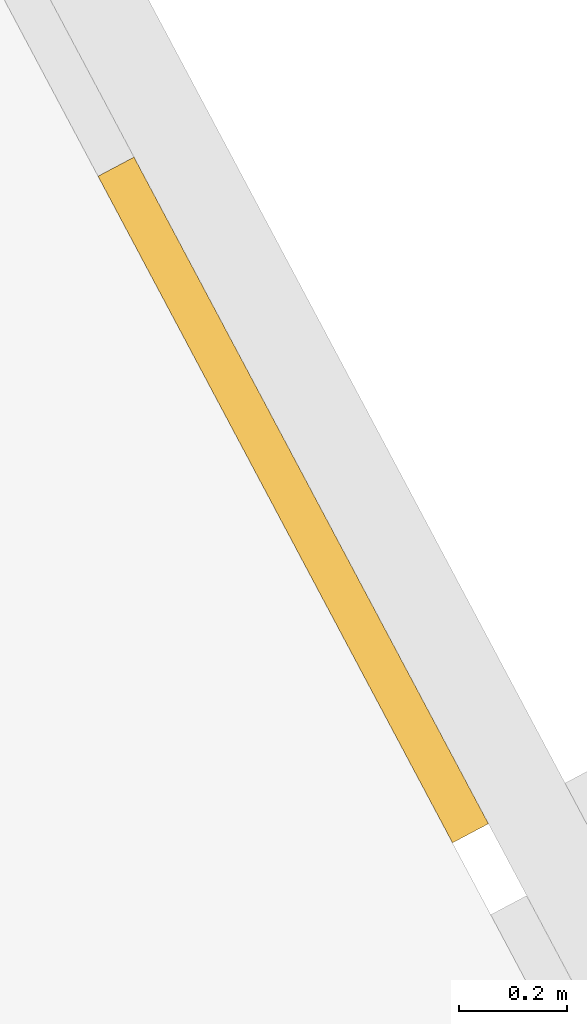
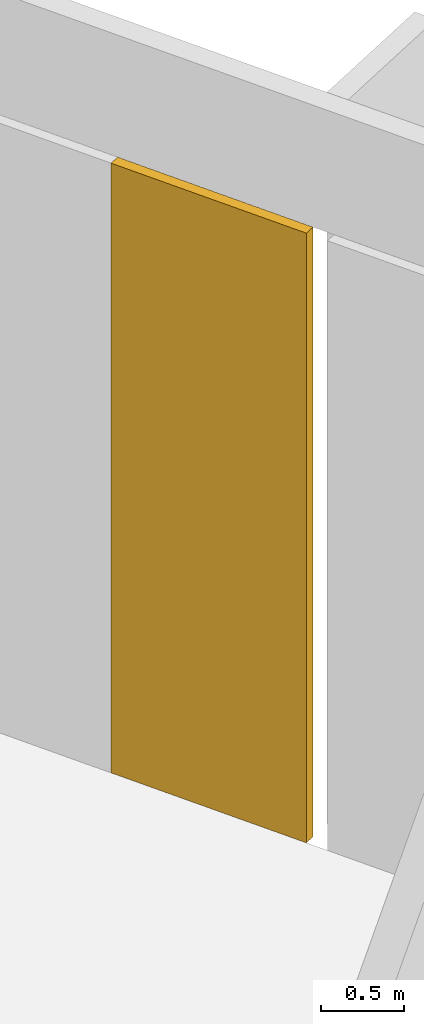
# One storey, part 32 of 32: 1 covering, 1 element without a shape of its own.
"""IFC4 building model written with IfcOpenShell, lengths in metres."""

from ifc_helpers import new_model, si_unit, direction, frame, origin, origin_2d, place, context, subcontext, project, spatial, rectangle, extrude, material, layer, layer_set, type_object, element, aggregate, save


model = new_model("IFC4")

# Units and contexts
model_context = context("Model", 3, precision=1e-05, world=origin(), true_north=direction((0.0, 1.0)))
body_context = subcontext(model_context, "Body", "Model", "MODEL_VIEW")
ifc_project = project(units=[si_unit("LENGTHUNIT", "METRE"), si_unit("AREAUNIT", "SQUARE_METRE"), si_unit("VOLUMEUNIT", "CUBIC_METRE"), si_unit("PLANEANGLEUNIT", "RADIAN"), si_unit("MASSUNIT", "GRAM", prefix="KILO")], contexts=[model_context])

# Site, building, storey
site_placement = place(None, origin())
site = spatial("IfcSite", under=ifc_project, at=site_placement, CompositionType="ELEMENT")
building_placement = place(site_placement, origin())
building = spatial("IfcBuilding", under=site, at=building_placement, Name="Cormorant Relay Tower", CompositionType="ELEMENT")
storey_placement = place(building_placement, frame((0.0, 0.0, 28.39990234375)))
storey = spatial("IfcBuildingStorey", under=building, at=storey_placement, Name="L05", CompositionType="ELEMENT", Elevation=28.39990234375)

# Curtain wall, covering
ifc_material_1 = material(Name="Aluminium 6063-T6 anodised bronze", Category="aluminium")
ifc_layer_1 = layer(ifc_material_1, 0.235107421875)
ifc_layer_set_1 = layer_set([ifc_layer_1], Name="CW6 data hall curtain wall with mineral wool panels")
curtain_wall_type = type_object("IfcCurtainWallType", Name="CW6 data hall curtain wall with mineral wool panels", PredefinedType="NOTDEFINED", material=ifc_layer_set_1)
curtain_wall_placement = place(storey_placement, origin())
curtain_wall = element("IfcCurtainWall", 1, at=curtain_wall_placement, inside=storey, type_object=curtain_wall_type, Name="CW6 curtain wall 4", PredefinedType="NOTDEFINED")
ifc_material_2 = material(Name="Mineral wool cored anodised bronze aluminium cassette panel", Category="aluminium")
ifc_layer_2 = layer(ifc_material_2, 0.074951171875)
ifc_layer_set_2 = layer_set([ifc_layer_2], Name="CW6 mineral wool cassette panel 75")
covering_type = type_object("IfcCoveringType", Name="CW6 mineral wool cassette panel 75", PredefinedType="CLADDING", material=ifc_layer_set_2)
covering_placement = place(storey_placement, frame((66.86474609375, 27.689453125, 0.0), z_axis=(0.0, 0.0, 1.0), x_axis=(-0.469471562786, 0.882947592859, 0.0)))
covering = element("IfcCovering", 2, at=covering_placement, type_object=covering_type, Name="CW6 panel S01", PredefinedType="CLADDING", context=body_context, shape_type="SweptSolid", body=[
    extrude(rectangle(XDim=1.392822265625, YDim=0.074951171875, at=origin_2d()), origin(), (0.0, 0.0, 1.0), 4.5),
])
aggregate(curtain_wall, [covering])

save(model, "model.ifc")
